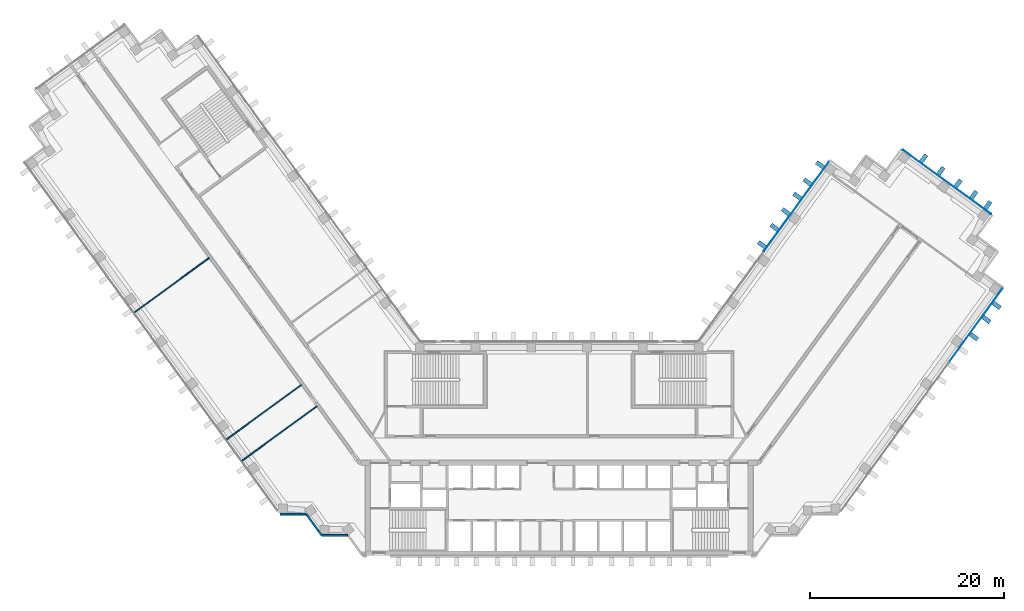
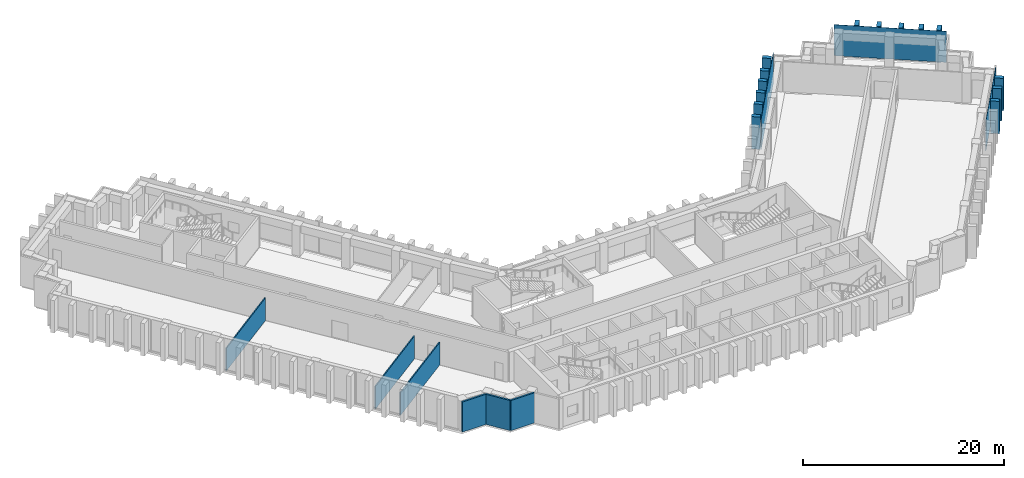
"""IFC4 building model written with IfcOpenShell, lengths in metres."""

from ifc_helpers import new_model, si_unit, direction, frame, frame_2d, origin, origin_2d, place, context, subcontext, project, spatial, rectangle, extrude, material, layer, layer_set, type_object, element, aggregate, save


model = new_model("IFC4")

# Units and contexts
model_context = context("Model", 3, precision=1e-05, world=origin(), true_north=direction((0.0, 1.0)))
body_context = subcontext(model_context, "Body", "Model", "MODEL_VIEW")
ifc_project = project(units=[si_unit("LENGTHUNIT", "METRE"), si_unit("AREAUNIT", "SQUARE_METRE"), si_unit("VOLUMEUNIT", "CUBIC_METRE"), si_unit("PLANEANGLEUNIT", "RADIAN"), si_unit("MASSUNIT", "GRAM", prefix="KILO")], contexts=[model_context])

# Site, building, storey
site_placement = place(None, origin())
site = spatial("IfcSite", under=ifc_project, at=site_placement, CompositionType="ELEMENT")
building_placement = place(site_placement, origin())
building = spatial("IfcBuilding", under=site, at=building_placement, Name="Quipu Civic Tower", CompositionType="ELEMENT")
storey_1_placement = place(building_placement, frame((0.0, 0.0, 85.0)))
storey_1 = spatial("IfcBuildingStorey", under=building, at=storey_1_placement, Name="L19", CompositionType="ELEMENT", Elevation=85.0)

# Curtain wall, plate
ifc_material_1 = material(Name="Insulated glass unit", Category="glass")
curtain_wall_type = type_object("IfcCurtainWallType", Name="Office curtain wall CW1", PredefinedType="NOTDEFINED", material=ifc_material_1)
curtain_wall_1_placement = place(storey_1_placement, origin())
curtain_wall_1 = element("IfcCurtainWall", 1, at=curtain_wall_1_placement, inside=storey_1, type_object=curtain_wall_type, Name="Office curtain wall CW1 L19 run 1", PredefinedType="NOTDEFINED")
ifc_material_2 = material(Name="Insulated glass unit", Category="glass")
ifc_layer_1 = layer(ifc_material_2, 0.028076171875)
ifc_layer_set_1 = layer_set([ifc_layer_1], Name="Insulated glass unit")
plate_type_1 = type_object("IfcPlateType", Name="Glass panel CW1", PredefinedType="CURTAIN_PANEL", material=ifc_layer_set_1)
plate_1_placement = place(storey_1_placement, frame((43.038818359375, 12.82568359375, 0.240234375), z_axis=(0.0, 0.0, 1.0), x_axis=(0.587785375786, 0.809016904652, 0.0)))
plate_1 = element("IfcPlate", 2, at=plate_1_placement, type_object=plate_type_1, Name="CW1 panel 3.1", PredefinedType="CURTAIN_PANEL", context=body_context, shape_type="SweptSolid", body=[
    extrude(rectangle(XDim=9.403564453125, YDim=0.028076171875, at=origin_2d()), origin(), (0.0, 0.0, 1.0), 3.679931640625),
])
aggregate(curtain_wall_1, [plate_1])

# Storey
storey_2_placement = place(building_placement, frame((0.0, 0.0, 89.0)))
storey_2 = spatial("IfcBuildingStorey", under=building, at=storey_2_placement, Name="L20", CompositionType="ELEMENT", Elevation=89.0)

# Curtain wall, plate
curtain_wall_2_placement = place(storey_2_placement, origin())
curtain_wall_2 = element("IfcCurtainWall", 3, at=curtain_wall_2_placement, inside=storey_2, type_object=curtain_wall_type, Name="Office curtain wall CW1 L19 run 6", PredefinedType="NOTDEFINED")
plate_2_placement = place(storey_1_placement, frame((40.04345703125, 27.58740234375, 0.240234375), z_axis=(0.0, 0.0, 1.0), x_axis=(-0.809015176832, 0.587787753918, 0.0)))
plate_2 = element("IfcPlate", 4, at=plate_2_placement, inside=storey_1, type_object=plate_type_1, Name="CW1 panel 1.1", PredefinedType="CURTAIN_PANEL", context=body_context, shape_type="SweptSolid", body=[
    extrude(rectangle(XDim=11.239990234375, YDim=0.028076171875, at=origin_2d()), origin(), (0.0, 0.0, 1.0), 3.760009765625),
])
aggregate(curtain_wall_2, [plate_2])

curtain_wall_3_placement = place(storey_2_placement, origin())
curtain_wall_3 = element("IfcCurtainWall", 5, at=curtain_wall_3_placement, inside=storey_2, type_object=curtain_wall_type, Name="Office curtain wall CW1 L19 run 11", PredefinedType="NOTDEFINED")
plate_3_placement = place(storey_1_placement, frame((24.491455078125, 25.066162109375, 0.240234375), z_axis=(0.0, 0.0, 1.0), x_axis=(-0.587788727052, -0.809014469803, 0.0)))
plate_3 = element("IfcPlate", 6, at=plate_3_placement, inside=storey_1, type_object=plate_type_1, Name="CW1 panel 1.1", PredefinedType="CURTAIN_PANEL", context=body_context, shape_type="SweptSolid", body=[
    extrude(rectangle(XDim=11.402099609375, YDim=0.028076171875, at=origin_2d()), origin(), (0.0, 0.0, 1.0), 3.760009765625),
])
aggregate(curtain_wall_3, [plate_3])

# Plates
ifc_material_3 = material(Name="Precast concrete C40/50", Category="concrete")
plate_type_2 = type_object("IfcPlateType", Name="Precast fin F1", PredefinedType="SHEET", material=ifc_material_3)
for number, where, z_axis, x_axis, name in (
    (7, (42.828125, 11.600341796875, 0.080078125), (0.0, 0.0, 1.0), (0.587785620359, 0.809016726959, 0.0), "Precast fin F1 L19.1.12"),
    (8, (44.121337890625, 13.380126953125, 0.080078125), (0.0, 0.0, 1.0), (0.587785620359, 0.809016726959, 0.0), "Precast fin F1 L19.1.13"),
    (9, (45.179443359375, 14.836181640625, 0.080078125), (0.0, 0.0, 1.0), (0.587785620359, 0.809016726959, 0.0), "Precast fin F1 L19.1.14"),
    (10, (44.270263671875, 25.1962890625, 0.080078125), (0.0, 0.0, 1.0), (-0.809017072762, 0.587785144401, 0.0), "Precast fin F1 L19.6.1"),
    (11, (42.81396484375, 26.25439453125, 0.080078125), (0.0, 0.0, 1.0), (-0.809017072762, 0.587785144401, 0.0), "Precast fin F1 L19.6.2"),
    (12, (41.196044921875, 27.429931640625, 0.080078125), (0.0, 0.0, 1.0), (-0.809017072762, 0.587785144401, 0.0), "Precast fin F1 L19.6.3"),
    (13, (39.416259765625, 28.72314453125, 0.080078125), (0.0, 0.0, 1.0), (-0.809017072762, 0.587785144401, 0.0), "Precast fin F1 L19.6.4"),
    (14, (37.63623046875, 30.01611328125, 0.080078125), (0.0, 0.0, 1.0), (-0.809017072762, 0.587785144401, 0.0), "Precast fin F1 L19.6.5"),
    (15, (26.93017578125, 29.358642578125, 0.080078125), (0.0, 0.0, 1.0), (-0.587787133119, -0.809015627871, 0.0), "Precast fin F1 L19.11.1"),
    (16, (25.636962890625, 27.578857421875, 0.080078125), (0.0, 0.0, 1.0), (-0.587787133119, -0.809015627871, 0.0), "Precast fin F1 L19.11.2"),
    (17, (24.578857421875, 26.12255859375, 0.080078125), (0.0, 0.0, 1.0), (-0.587787133119, -0.809015627871, 0.0), "Precast fin F1 L19.11.3"),
    (18, (23.4033203125, 24.50439453125, 0.080078125), (0.0, 0.0, 1.0), (-0.587787133119, -0.809015627871, 0.0), "Precast fin F1 L19.11.4"),
    (19, (22.227783203125, 22.886474609375, 0.080078125), (0.0, 0.0, 1.0), (-0.587787133119, -0.809015627871, 0.0), "Precast fin F1 L19.11.5"),
    (20, (20.9345703125, 21.106689453125, 0.080078125), (0.0, 0.0, 1.0), (-0.587787133119, -0.809015627871, 0.0), "Precast fin F1 L19.11.6"),
):
    element("IfcPlate", number, at=place(storey_1_placement, frame(where, z_axis=z_axis, x_axis=x_axis)), inside=storey_1, type_object=plate_type_2, Name=name, PredefinedType="SHEET", context=body_context, shape_type="SweptSolid", body=[
        extrude(rectangle(XDim=0.449951171875, YDim=0.89990234375, at=origin_2d()), origin(), (0.0, 0.0, 1.0), 3.919921875),
    ])

# Walls
ifc_material_4 = material(Name="Gypsum plasterboard on light gauge framing")
ifc_layer_2 = layer(ifc_material_4, 0.1201171875)
ifc_layer_set_2 = layer_set([ifc_layer_2], Name="Gypsum plasterboard on light gauge framing")
wall_type_1 = type_object("IfcWallType", Name="Partition 120 plasterboard", PredefinedType="PARTITIONING", material=ifc_layer_set_2)
for number, where, z_axis, x_axis, name in (
    (21, (-25.00830078125, 4.4267578125, 0.0), (0.0, 0.0, 1.0), (-0.808994684961, -0.587815957341, 0.0), "Partition P03"),
    (22, (-43.8544921875, 14.118408203125, 0.0), (0.0, 0.0, 1.0), (0.807691251741, 0.589605666408, 0.0), "Partition P05"),
):
    element("IfcWall", number, at=place(storey_1_placement, frame(where, z_axis=z_axis, x_axis=x_axis)), inside=storey_1, type_object=wall_type_1, Name=name, PredefinedType="PARTITIONING", context=body_context, shape_type="SweptSolid", body=[
        extrude(rectangle(XDim=9.55029296875, YDim=0.1201171875, at=frame_2d((4.775146484375, 0.0))), origin(), (0.0, 0.0, 1.0), 2.75),
    ])
wall_1_placement = place(storey_1_placement, frame((-34.33154296875, 1.01123046875, 0.0), z_axis=(0.0, 0.0, 1.0), x_axis=(0.807594822539, 0.589737740532, 0.0)))
element("IfcWall", 23, at=wall_1_placement, inside=storey_1, type_object=wall_type_1, Name="Partition P08", PredefinedType="PARTITIONING", context=body_context, shape_type="SweptSolid", body=[
    extrude(rectangle(XDim=9.550048828125, YDim=0.1201171875, at=frame_2d((4.77490234375, 0.0))), origin(), (0.0, 0.0, 1.0), 2.75),
])
ifc_material_5 = material(Name="Precast concrete C40/50", Category="concrete")
wall_type_2 = type_object("IfcWallType", Name="Precast cladding wall", PredefinedType="SOLIDWALL", material=ifc_material_5)
wall_2_placement = place(storey_1_placement, frame((-28.829833984375, -6.71923828125, 0.0), z_axis=(0.0, 0.0, 1.0), x_axis=(1.0, 0.0, 0.0)))
element("IfcWall", 24, at=wall_2_placement, inside=storey_1, type_object=wall_type_2, Name="Precast cladding wall L19 28", PredefinedType="SOLIDWALL", context=body_context, shape_type="SweptSolid", body=[
    extrude(rectangle(XDim=2.699951171875, YDim=0.199951171875, at=frame_2d((1.35009765625, 0.0))), origin(), (0.0, 0.0, 1.0), 3.64990234375),
])
wall_3_placement = place(storey_1_placement, frame((-26.1201171875, -6.72412109375, 0.0), z_axis=(0.0, 0.0, 1.0), x_axis=(0.587720002413, -0.809064397168, 0.0)))
element("IfcWall", 25, at=wall_3_placement, inside=storey_1, type_object=wall_type_2, Name="Precast cladding wall L19 29", PredefinedType="SOLIDWALL", context=body_context, shape_type="SweptSolid", body=[
    extrude(rectangle(XDim=2.7001953125, YDim=0.199951171875, at=frame_2d((1.35009765625, 0.0))), origin(), (0.0, 0.0, 1.0), 3.64990234375),
])
wall_4_placement = place(storey_1_placement, frame((-24.542724609375, -8.90380859375, 0.0), z_axis=(0.0, 0.0, 1.0), x_axis=(1.0, 0.0, 0.0)))
element("IfcWall", 26, at=wall_4_placement, inside=storey_1, type_object=wall_type_2, Name="Precast cladding wall L19 30", PredefinedType="SOLIDWALL", context=body_context, shape_type="SweptSolid", body=[
    extrude(rectangle(XDim=2.699951171875, YDim=0.199951171875, at=frame_2d((1.35009765625, 0.0))), origin(), (0.0, 0.0, 1.0), 3.64990234375),
])

save(model, "model.ifc")
